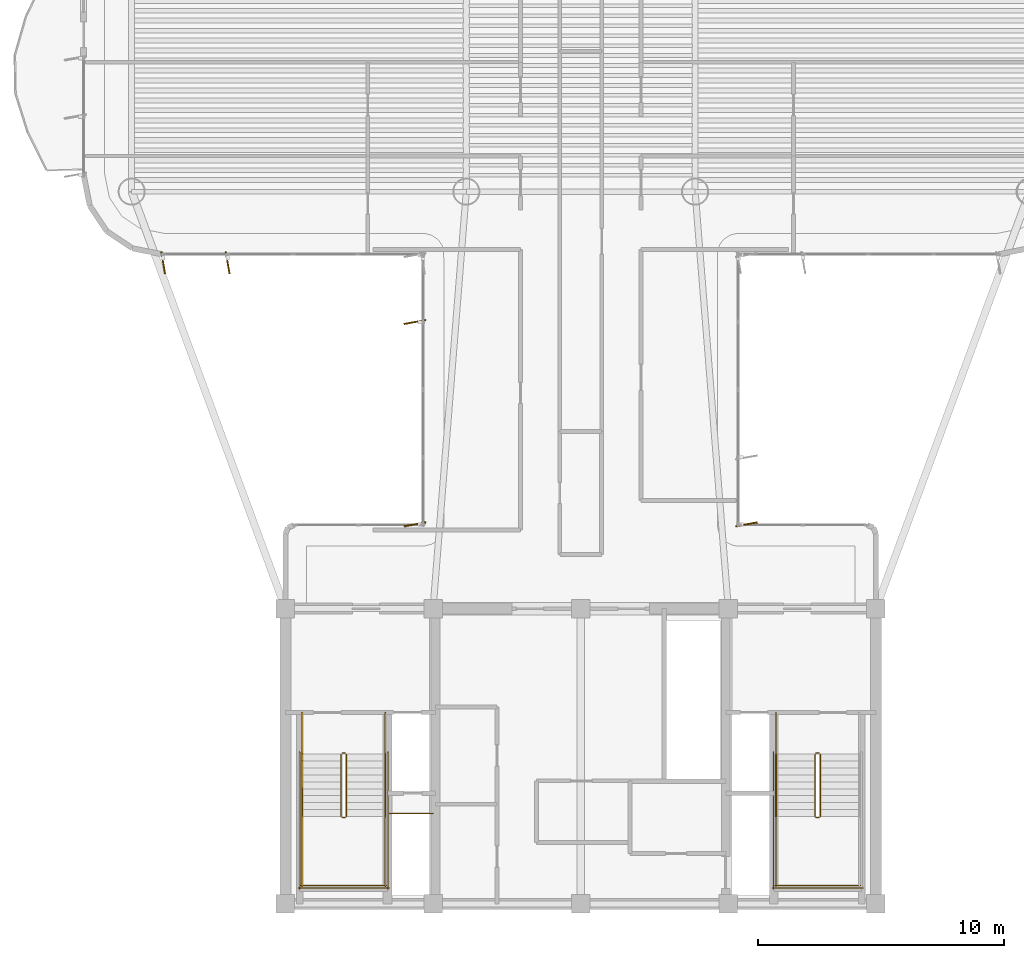
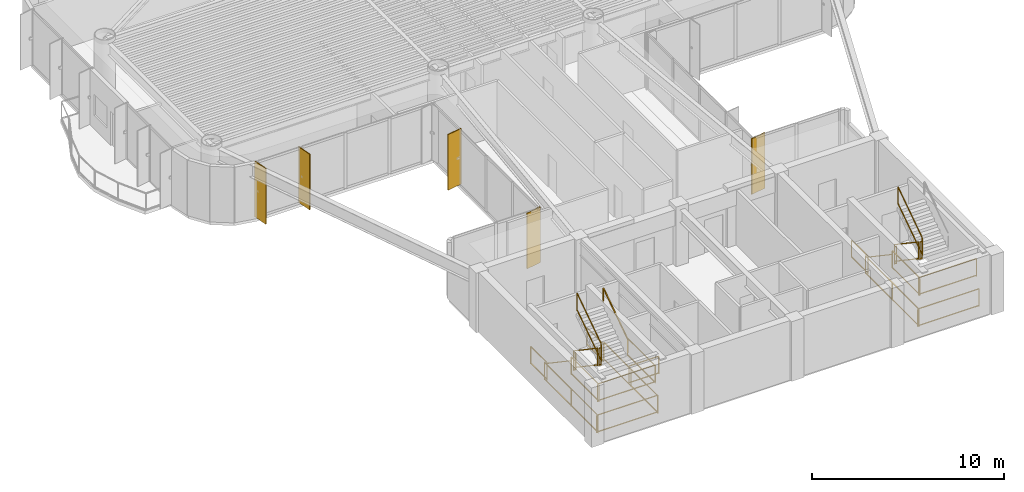
# One storey, part 13 of 14: 25 railings, 5 shading devices.
"""IFC4 building model written with IfcOpenShell, lengths in metres."""

from ifc_helpers import new_model, si_unit, direction, frame, origin, origin_2d, place, context, subcontext, project, spatial, rectangle, extrude, source, transform, mapped, material, layer, layer_set, material_profile, profile_set, type_object, element, save


model = new_model("IFC4")

# Units and contexts
model_context = context("Model", 3, precision=1e-05, world=origin(), true_north=direction((0.0, 1.0)))
body_context = subcontext(model_context, "Body", "Model", "MODEL_VIEW")
ifc_project = project(units=[si_unit("LENGTHUNIT", "METRE"), si_unit("AREAUNIT", "SQUARE_METRE"), si_unit("VOLUMEUNIT", "CUBIC_METRE"), si_unit("PLANEANGLEUNIT", "RADIAN"), si_unit("MASSUNIT", "GRAM", prefix="KILO")], contexts=[model_context])

# Site, building, storey
site_placement = place(None, origin())
site = spatial("IfcSite", under=ifc_project, at=site_placement, CompositionType="ELEMENT")
building_placement = place(site_placement, origin())
building = spatial("IfcBuilding", under=site, at=building_placement, Name="Brelvock Crest Care Tower", CompositionType="ELEMENT")
storey_placement = place(building_placement, frame((0.0, 0.0, 182.8798828125)))
storey = spatial("IfcBuildingStorey", under=building, at=storey_placement, Name="L46", CompositionType="ELEMENT", Elevation=182.8798828125)

# Railings
ifc_material_1 = material(Name="Steel Grade 350", Category="steel")
ifc_layer_1 = layer(ifc_material_1, 0.050048828125, Name="RL-STG1")
ifc_layer_set_1 = layer_set([ifc_layer_1], Name="Steel Grade 350")
railing_type_1 = type_object("IfcRailingType", Name="RL-STG1", PredefinedType="GUARDRAIL", material=ifc_layer_set_1)
railing_1_placement = place(storey_placement, frame((26.260009765625, 12.080078125, 0.189208984375)))
element("IfcRailing", 1, at=railing_1_placement, inside=storey, type_object=railing_type_1, Name="L46 ST-1 stair guard 1", PredefinedType="GUARDRAIL", context=body_context, shape_type="SweptSolid", body=[
    extrude(rectangle(XDim=0.048095703125, YDim=0.048095703125, at=origin_2d()), frame((0.0, -0.001708984375, 1.116943359375), z_axis=(0.0, -0.828861706735, 0.559453546873), x_axis=(1.0, 0.0, 0.0)), (0.0, 0.0, 1.0), 3.036376953125),
    extrude(rectangle(XDim=0.048095703125, YDim=0.048095703125, at=origin_2d()), frame((0.0, -0.001708984375, 0.05615234375), z_axis=(0.0, -0.828861706735, 0.559453546873), x_axis=(1.0, 0.0, 0.0)), (0.0, 0.0, 1.0), 3.036376953125),
    extrude(rectangle(XDim=0.0419921875, YDim=0.0419921875, at=origin_2d()), origin(), (0.0, 0.0, 1.0), 1.08984375),
    extrude(rectangle(XDim=0.0419921875, YDim=0.0419921875, at=origin_2d()), frame((0.0, -2.52001953125, 1.700927734375)), (0.0, 0.0, 1.0), 1.08984375),
])
railing_2_placement = place(storey_placement, frame((26.31005859375, 9.510009765625, 1.89013671875)))
element("IfcRailing", 2, at=railing_2_placement, inside=storey, type_object=railing_type_1, Name="L46 ST-1 stair guard 2", PredefinedType="GUARDRAIL", context=body_context, shape_type="SweptSolid", body=[
    extrude(rectangle(XDim=0.048095703125, YDim=0.048095703125, at=origin_2d()), frame((0.001953125, 0.0, 1.11572265625), z_axis=(1.0, 0.0, 0.0), x_axis=(0.0, 1.0, 0.0)), (0.0, 0.0, 1.0), 0.115966796875),
    extrude(rectangle(XDim=0.048095703125, YDim=0.048095703125, at=origin_2d()), frame((0.001953125, 0.0, 0.054931640625), z_axis=(1.0, 0.0, 0.0), x_axis=(0.0, 1.0, 0.0)), (0.0, 0.0, 1.0), 0.115966796875),
    extrude(rectangle(XDim=0.0419921875, YDim=0.0419921875, at=origin_2d()), origin(), (0.0, 0.0, 1.0), 1.08984375),
    extrude(rectangle(XDim=0.0419921875, YDim=0.0419921875, at=origin_2d()), frame((0.119873046875, 0.0, 0.0)), (0.0, 0.0, 1.0), 1.08984375),
])
for number, where, name in (
    (3, (24.679931640625, 9.56005859375, 1.89013671875), "L46 ST-1 stair guard 3"),
    (4, (28.06005859375, 9.56005859375, 1.89013671875), "L46 ST-1 stair guard 4"),
):
    element("IfcRailing", number, at=place(storey_placement, frame(where)), inside=storey, type_object=railing_type_1, Name=name, PredefinedType="GUARDRAIL", context=body_context, shape_type="SweptSolid", body=[
        extrude(rectangle(XDim=0.048095703125, YDim=0.048095703125, at=origin_2d()), frame((0.0, -0.001953125, 1.11572265625), z_axis=(0.0, -1.0, 0.0), x_axis=(1.0, 0.0, 0.0)), (0.0, 0.0, 1.0), 2.856201171875),
        extrude(rectangle(XDim=0.048095703125, YDim=0.048095703125, at=origin_2d()), frame((0.0, -0.001953125, 0.054931640625), z_axis=(0.0, -1.0, 0.0), x_axis=(1.0, 0.0, 0.0)), (0.0, 0.0, 1.0), 2.856201171875),
        extrude(rectangle(XDim=0.0419921875, YDim=0.0419921875, at=origin_2d()), origin(), (0.0, 0.0, 1.0), 1.08984375),
        extrude(rectangle(XDim=0.0419921875, YDim=0.0419921875, at=origin_2d()), frame((0.0, -2.860107421875, 0.0)), (0.0, 0.0, 1.0), 1.08984375),
    ])
railing_3_placement = place(storey_placement, frame((24.6298828125, 6.75, 1.89013671875)))
element("IfcRailing", 5, at=railing_3_placement, inside=storey, type_object=railing_type_1, Name="L46 ST-1 stair guard 5", PredefinedType="GUARDRAIL", context=body_context, shape_type="SweptSolid", body=[
    extrude(rectangle(XDim=0.048095703125, YDim=0.048095703125, at=origin_2d()), frame((0.001953125, 0.0, 1.11572265625), z_axis=(1.0, 0.0, 0.0), x_axis=(0.0, 1.0, 0.0)), (0.0, 0.0, 1.0), 3.476318359375),
    extrude(rectangle(XDim=0.048095703125, YDim=0.048095703125, at=origin_2d()), frame((0.001953125, 0.0, 0.054931640625), z_axis=(1.0, 0.0, 0.0), x_axis=(0.0, 1.0, 0.0)), (0.0, 0.0, 1.0), 3.476318359375),
    extrude(rectangle(XDim=0.0419921875, YDim=0.0419921875, at=origin_2d()), origin(), (0.0, 0.0, 1.0), 1.08984375),
    extrude(rectangle(XDim=0.0419921875, YDim=0.0419921875, at=origin_2d()), frame((3.480224609375, 0.0, 0.0)), (0.0, 0.0, 1.0), 1.08984375),
])
railing_4_placement = place(storey_placement, frame((26.47998046875, 9.56005859375, 2.0791015625)))
element("IfcRailing", 6, at=railing_4_placement, inside=storey, type_object=railing_type_1, Name="L46 ST-1 stair guard 6", PredefinedType="GUARDRAIL", context=body_context, shape_type="SweptSolid", body=[
    extrude(rectangle(XDim=0.048095703125, YDim=0.048095703125, at=origin_2d()), frame((0.0, 0.001708984375, 1.116943359375), z_axis=(0.0, 0.828861706735, 0.559453546873), x_axis=(-1.0, 0.0, 0.0)), (0.0, 0.0, 1.0), 3.036376953125),
    extrude(rectangle(XDim=0.048095703125, YDim=0.048095703125, at=origin_2d()), frame((0.0, 0.001708984375, 0.05615234375), z_axis=(0.0, 0.828861706735, 0.559453546873), x_axis=(-1.0, 0.0, 0.0)), (0.0, 0.0, 1.0), 3.036376953125),
    extrude(rectangle(XDim=0.0419921875, YDim=0.0419921875, at=origin_2d()), origin(), (0.0, 0.0, 1.0), 1.08984375),
    extrude(rectangle(XDim=0.0419921875, YDim=0.0419921875, at=origin_2d()), frame((0.0, 2.52001953125, 1.700927734375)), (0.0, 0.0, 1.0), 1.08984375),
])
railing_5_placement = place(storey_placement, frame((26.31005859375, 12.1298828125, 0.0)))
element("IfcRailing", 7, at=railing_5_placement, inside=storey, type_object=railing_type_1, Name="L46 ST-1 stair guard 7", PredefinedType="GUARDRAIL", context=body_context, shape_type="SweptSolid", body=[
    extrude(rectangle(XDim=0.048095703125, YDim=0.048095703125, at=origin_2d()), frame((0.001953125, 0.0, 1.11572265625), z_axis=(1.0, 0.0, 0.0), x_axis=(0.0, 1.0, 0.0)), (0.0, 0.0, 1.0), 0.115966796875),
    extrude(rectangle(XDim=0.048095703125, YDim=0.048095703125, at=origin_2d()), frame((0.001953125, 0.0, 0.054931640625), z_axis=(1.0, 0.0, 0.0), x_axis=(0.0, 1.0, 0.0)), (0.0, 0.0, 1.0), 0.115966796875),
    extrude(rectangle(XDim=0.0419921875, YDim=0.0419921875, at=origin_2d()), origin(), (0.0, 0.0, 1.0), 1.08984375),
    extrude(rectangle(XDim=0.0419921875, YDim=0.0419921875, at=origin_2d()), frame((0.119873046875, 0.0, 0.0)), (0.0, 0.0, 1.0), 1.08984375),
])
for number, where, name in (
    (8, (24.679931640625, 13.780029296875, 0.0), "L46 ST-1 stair guard 8"),
    (9, (28.06005859375, 13.780029296875, 0.0), "L46 ST-1 stair guard 9"),
):
    element("IfcRailing", number, at=place(storey_placement, frame(where)), inside=storey, type_object=railing_type_1, Name=name, PredefinedType="GUARDRAIL", context=body_context, shape_type="SweptSolid", body=[
        extrude(rectangle(XDim=0.048095703125, YDim=0.048095703125, at=origin_2d()), frame((0.0, -0.001953125, 1.11572265625), z_axis=(0.0, -1.0, 0.0), x_axis=(1.0, 0.0, 0.0)), (0.0, 0.0, 1.0), 1.696044921875),
        extrude(rectangle(XDim=0.048095703125, YDim=0.048095703125, at=origin_2d()), frame((0.0, -0.001953125, 0.054931640625), z_axis=(0.0, -1.0, 0.0), x_axis=(1.0, 0.0, 0.0)), (0.0, 0.0, 1.0), 1.696044921875),
        extrude(rectangle(XDim=0.0419921875, YDim=0.0419921875, at=origin_2d()), origin(), (0.0, 0.0, 1.0), 1.08984375),
        extrude(rectangle(XDim=0.0419921875, YDim=0.0419921875, at=origin_2d()), frame((0.0, -1.699951171875, 0.0)), (0.0, 0.0, 1.0), 1.08984375),
    ])
for number, where, name in (
    (10, (24.580078125, 12.179931640625, 0.0), "L46 ST-1 stair guard 10"),
    (11, (28.159912109375, 12.179931640625, 0.0), "L46 ST-1 stair guard 11"),
):
    element("IfcRailing", number, at=place(storey_placement, frame(where)), inside=storey, type_object=railing_type_1, Name=name, PredefinedType="GUARDRAIL", context=body_context, shape_type="SweptSolid", body=[
        extrude(rectangle(XDim=0.048095703125, YDim=0.048095703125, at=origin_2d()), frame((0.0, -0.001953125, 1.11572265625), z_axis=(0.0, -1.0, 0.0), x_axis=(1.0, 0.0, 0.0)), (0.0, 0.0, 1.0), 5.575927734375),
        extrude(rectangle(XDim=0.048095703125, YDim=0.048095703125, at=origin_2d()), frame((0.0, -0.001953125, 0.054931640625), z_axis=(0.0, -1.0, 0.0), x_axis=(1.0, 0.0, 0.0)), (0.0, 0.0, 1.0), 5.575927734375),
        extrude(rectangle(XDim=0.0419921875, YDim=0.0419921875, at=origin_2d()), origin(), (0.0, 0.0, 1.0), 1.08984375),
        extrude(rectangle(XDim=0.0419921875, YDim=0.0419921875, at=origin_2d()), frame((0.0, -2.7900390625, 0.0)), (0.0, 0.0, 1.0), 1.08984375),
        extrude(rectangle(XDim=0.0419921875, YDim=0.0419921875, at=origin_2d()), frame((0.0, -5.579833984375, 0.0)), (0.0, 0.0, 1.0), 1.08984375),
    ])
railing_6_placement = place(storey_placement, frame((24.530029296875, 6.64990234375, 0.0)))
element("IfcRailing", 12, at=railing_6_placement, inside=storey, type_object=railing_type_1, Name="L46 ST-1 stair guard 12", PredefinedType="GUARDRAIL", context=body_context, shape_type="SweptSolid", body=[
    extrude(rectangle(XDim=0.048095703125, YDim=0.048095703125, at=origin_2d()), frame((0.001953125, 0.0, 1.11572265625), z_axis=(1.0, 0.0, 0.0), x_axis=(0.0, 1.0, 0.0)), (0.0, 0.0, 1.0), 3.676025390625),
    extrude(rectangle(XDim=0.048095703125, YDim=0.048095703125, at=origin_2d()), frame((0.001953125, 0.0, 0.054931640625), z_axis=(1.0, 0.0, 0.0), x_axis=(0.0, 1.0, 0.0)), (0.0, 0.0, 1.0), 3.676025390625),
    extrude(rectangle(XDim=0.0419921875, YDim=0.0419921875, at=origin_2d()), origin(), (0.0, 0.0, 1.0), 1.08984375),
    extrude(rectangle(XDim=0.0419921875, YDim=0.0419921875, at=origin_2d()), frame((3.679931640625, 0.0, 0.0)), (0.0, 0.0, 1.0), 1.08984375),
])
railing_7_placement = place(storey_placement, frame((45.52001953125, 12.080078125, 0.189208984375)))
element("IfcRailing", 13, at=railing_7_placement, inside=storey, type_object=railing_type_1, Name="L46 ST-2 stair guard 1", PredefinedType="GUARDRAIL", context=body_context, shape_type="SweptSolid", body=[
    extrude(rectangle(XDim=0.048095703125, YDim=0.048095703125, at=origin_2d()), frame((0.0, -0.001708984375, 1.116943359375), z_axis=(0.0, -0.828861706735, 0.559453546873), x_axis=(1.0, 0.0, 0.0)), (0.0, 0.0, 1.0), 3.036376953125),
    extrude(rectangle(XDim=0.048095703125, YDim=0.048095703125, at=origin_2d()), frame((0.0, -0.001708984375, 0.05615234375), z_axis=(0.0, -0.828861706735, 0.559453546873), x_axis=(1.0, 0.0, 0.0)), (0.0, 0.0, 1.0), 3.036376953125),
    extrude(rectangle(XDim=0.0419921875, YDim=0.0419921875, at=origin_2d()), origin(), (0.0, 0.0, 1.0), 1.08984375),
    extrude(rectangle(XDim=0.0419921875, YDim=0.0419921875, at=origin_2d()), frame((0.0, -2.52001953125, 1.700927734375)), (0.0, 0.0, 1.0), 1.08984375),
])
railing_8_placement = place(storey_placement, frame((45.570068359375, 9.510009765625, 1.89013671875)))
element("IfcRailing", 14, at=railing_8_placement, inside=storey, type_object=railing_type_1, Name="L46 ST-2 stair guard 2", PredefinedType="GUARDRAIL", context=body_context, shape_type="SweptSolid", body=[
    extrude(rectangle(XDim=0.048095703125, YDim=0.048095703125, at=origin_2d()), frame((0.001953125, 0.0, 1.11572265625), z_axis=(1.0, 0.0, 0.0), x_axis=(0.0, 1.0, 0.0)), (0.0, 0.0, 1.0), 0.115966796875),
    extrude(rectangle(XDim=0.048095703125, YDim=0.048095703125, at=origin_2d()), frame((0.001953125, 0.0, 0.054931640625), z_axis=(1.0, 0.0, 0.0), x_axis=(0.0, 1.0, 0.0)), (0.0, 0.0, 1.0), 0.115966796875),
    extrude(rectangle(XDim=0.0419921875, YDim=0.0419921875, at=origin_2d()), origin(), (0.0, 0.0, 1.0), 1.08984375),
    extrude(rectangle(XDim=0.0419921875, YDim=0.0419921875, at=origin_2d()), frame((0.119873046875, 0.0, 0.0)), (0.0, 0.0, 1.0), 1.08984375),
])
railing_9_placement = place(storey_placement, frame((43.93994140625, 9.56005859375, 1.89013671875)))
element("IfcRailing", 15, at=railing_9_placement, inside=storey, type_object=railing_type_1, Name="L46 ST-2 stair guard 3", PredefinedType="GUARDRAIL", context=body_context, shape_type="SweptSolid", body=[
    extrude(rectangle(XDim=0.048095703125, YDim=0.048095703125, at=origin_2d()), frame((0.0, -0.001953125, 1.11572265625), z_axis=(0.0, -1.0, 0.0), x_axis=(1.0, 0.0, 0.0)), (0.0, 0.0, 1.0), 2.856201171875),
    extrude(rectangle(XDim=0.048095703125, YDim=0.048095703125, at=origin_2d()), frame((0.0, -0.001953125, 0.054931640625), z_axis=(0.0, -1.0, 0.0), x_axis=(1.0, 0.0, 0.0)), (0.0, 0.0, 1.0), 2.856201171875),
    extrude(rectangle(XDim=0.0419921875, YDim=0.0419921875, at=origin_2d()), origin(), (0.0, 0.0, 1.0), 1.08984375),
    extrude(rectangle(XDim=0.0419921875, YDim=0.0419921875, at=origin_2d()), frame((0.0, -2.860107421875, 0.0)), (0.0, 0.0, 1.0), 1.08984375),
])
railing_10_placement = place(storey_placement, frame((43.889892578125, 6.75, 1.89013671875)))
element("IfcRailing", 16, at=railing_10_placement, inside=storey, type_object=railing_type_1, Name="L46 ST-2 stair guard 5", PredefinedType="GUARDRAIL", context=body_context, shape_type="SweptSolid", body=[
    extrude(rectangle(XDim=0.048095703125, YDim=0.048095703125, at=origin_2d()), frame((0.001953125, 0.0, 1.11572265625), z_axis=(1.0, 0.0, 0.0), x_axis=(0.0, 1.0, 0.0)), (0.0, 0.0, 1.0), 3.476318359375),
    extrude(rectangle(XDim=0.048095703125, YDim=0.048095703125, at=origin_2d()), frame((0.001953125, 0.0, 0.054931640625), z_axis=(1.0, 0.0, 0.0), x_axis=(0.0, 1.0, 0.0)), (0.0, 0.0, 1.0), 3.476318359375),
    extrude(rectangle(XDim=0.0419921875, YDim=0.0419921875, at=origin_2d()), origin(), (0.0, 0.0, 1.0), 1.08984375),
    extrude(rectangle(XDim=0.0419921875, YDim=0.0419921875, at=origin_2d()), frame((3.480224609375, 0.0, 0.0)), (0.0, 0.0, 1.0), 1.08984375),
])
railing_11_placement = place(storey_placement, frame((45.739990234375, 9.56005859375, 2.0791015625)))
element("IfcRailing", 17, at=railing_11_placement, inside=storey, type_object=railing_type_1, Name="L46 ST-2 stair guard 6", PredefinedType="GUARDRAIL", context=body_context, shape_type="SweptSolid", body=[
    extrude(rectangle(XDim=0.048095703125, YDim=0.048095703125, at=origin_2d()), frame((0.0, 0.001708984375, 1.116943359375), z_axis=(0.0, 0.828861706735, 0.559453546873), x_axis=(-1.0, 0.0, 0.0)), (0.0, 0.0, 1.0), 3.036376953125),
    extrude(rectangle(XDim=0.048095703125, YDim=0.048095703125, at=origin_2d()), frame((0.0, 0.001708984375, 0.05615234375), z_axis=(0.0, 0.828861706735, 0.559453546873), x_axis=(-1.0, 0.0, 0.0)), (0.0, 0.0, 1.0), 3.036376953125),
    extrude(rectangle(XDim=0.0419921875, YDim=0.0419921875, at=origin_2d()), origin(), (0.0, 0.0, 1.0), 1.08984375),
    extrude(rectangle(XDim=0.0419921875, YDim=0.0419921875, at=origin_2d()), frame((0.0, 2.52001953125, 1.700927734375)), (0.0, 0.0, 1.0), 1.08984375),
])
railing_12_placement = place(storey_placement, frame((45.570068359375, 12.1298828125, 0.0)))
element("IfcRailing", 18, at=railing_12_placement, inside=storey, type_object=railing_type_1, Name="L46 ST-2 stair guard 7", PredefinedType="GUARDRAIL", context=body_context, shape_type="SweptSolid", body=[
    extrude(rectangle(XDim=0.048095703125, YDim=0.048095703125, at=origin_2d()), frame((0.001953125, 0.0, 1.11572265625), z_axis=(1.0, 0.0, 0.0), x_axis=(0.0, 1.0, 0.0)), (0.0, 0.0, 1.0), 0.115966796875),
    extrude(rectangle(XDim=0.048095703125, YDim=0.048095703125, at=origin_2d()), frame((0.001953125, 0.0, 0.054931640625), z_axis=(1.0, 0.0, 0.0), x_axis=(0.0, 1.0, 0.0)), (0.0, 0.0, 1.0), 0.115966796875),
    extrude(rectangle(XDim=0.0419921875, YDim=0.0419921875, at=origin_2d()), origin(), (0.0, 0.0, 1.0), 1.08984375),
    extrude(rectangle(XDim=0.0419921875, YDim=0.0419921875, at=origin_2d()), frame((0.119873046875, 0.0, 0.0)), (0.0, 0.0, 1.0), 1.08984375),
])
railing_13_placement = place(storey_placement, frame((43.93994140625, 13.780029296875, 0.0)))
element("IfcRailing", 19, at=railing_13_placement, inside=storey, type_object=railing_type_1, Name="L46 ST-2 stair guard 8", PredefinedType="GUARDRAIL", context=body_context, shape_type="SweptSolid", body=[
    extrude(rectangle(XDim=0.048095703125, YDim=0.048095703125, at=origin_2d()), frame((0.0, -0.001953125, 1.11572265625), z_axis=(0.0, -1.0, 0.0), x_axis=(1.0, 0.0, 0.0)), (0.0, 0.0, 1.0), 1.696044921875),
    extrude(rectangle(XDim=0.048095703125, YDim=0.048095703125, at=origin_2d()), frame((0.0, -0.001953125, 0.054931640625), z_axis=(0.0, -1.0, 0.0), x_axis=(1.0, 0.0, 0.0)), (0.0, 0.0, 1.0), 1.696044921875),
    extrude(rectangle(XDim=0.0419921875, YDim=0.0419921875, at=origin_2d()), origin(), (0.0, 0.0, 1.0), 1.08984375),
    extrude(rectangle(XDim=0.0419921875, YDim=0.0419921875, at=origin_2d()), frame((0.0, -1.699951171875, 0.0)), (0.0, 0.0, 1.0), 1.08984375),
])
railing_14_placement = place(storey_placement, frame((43.840087890625, 12.179931640625, 0.0)))
element("IfcRailing", 20, at=railing_14_placement, inside=storey, type_object=railing_type_1, Name="L46 ST-2 stair guard 10", PredefinedType="GUARDRAIL", context=body_context, shape_type="SweptSolid", body=[
    extrude(rectangle(XDim=0.048095703125, YDim=0.048095703125, at=origin_2d()), frame((0.0, -0.001953125, 1.11572265625), z_axis=(0.0, -1.0, 0.0), x_axis=(1.0, 0.0, 0.0)), (0.0, 0.0, 1.0), 5.575927734375),
    extrude(rectangle(XDim=0.048095703125, YDim=0.048095703125, at=origin_2d()), frame((0.0, -0.001953125, 0.054931640625), z_axis=(0.0, -1.0, 0.0), x_axis=(1.0, 0.0, 0.0)), (0.0, 0.0, 1.0), 5.575927734375),
    extrude(rectangle(XDim=0.0419921875, YDim=0.0419921875, at=origin_2d()), origin(), (0.0, 0.0, 1.0), 1.08984375),
    extrude(rectangle(XDim=0.0419921875, YDim=0.0419921875, at=origin_2d()), frame((0.0, -2.7900390625, 0.0)), (0.0, 0.0, 1.0), 1.08984375),
    extrude(rectangle(XDim=0.0419921875, YDim=0.0419921875, at=origin_2d()), frame((0.0, -5.579833984375, 0.0)), (0.0, 0.0, 1.0), 1.08984375),
])
railing_15_placement = place(storey_placement, frame((43.7900390625, 6.64990234375, 0.0)))
element("IfcRailing", 21, at=railing_15_placement, inside=storey, type_object=railing_type_1, Name="L46 ST-2 stair guard 12", PredefinedType="GUARDRAIL", context=body_context, shape_type="SweptSolid", body=[
    extrude(rectangle(XDim=0.048095703125, YDim=0.048095703125, at=origin_2d()), frame((0.001953125, 0.0, 1.11572265625), z_axis=(1.0, 0.0, 0.0), x_axis=(0.0, 1.0, 0.0)), (0.0, 0.0, 1.0), 3.676025390625),
    extrude(rectangle(XDim=0.048095703125, YDim=0.048095703125, at=origin_2d()), frame((0.001953125, 0.0, 0.054931640625), z_axis=(1.0, 0.0, 0.0), x_axis=(0.0, 1.0, 0.0)), (0.0, 0.0, 1.0), 3.676025390625),
    extrude(rectangle(XDim=0.0419921875, YDim=0.0419921875, at=origin_2d()), origin(), (0.0, 0.0, 1.0), 1.08984375),
    extrude(rectangle(XDim=0.0419921875, YDim=0.0419921875, at=origin_2d()), frame((3.679931640625, 0.0, 0.0)), (0.0, 0.0, 1.0), 1.08984375),
])
railing_16_placement = place(storey_placement, frame((28.219970703125, 9.679931640625, 0.0)))
element("IfcRailing", 22, at=railing_16_placement, inside=storey, type_object=railing_type_1, Name="L46 Fire Riser Threshold Guard", PredefinedType="GUARDRAIL", context=body_context, shape_type="SweptSolid", body=[
    extrude(rectangle(XDim=0.048095703125, YDim=0.048095703125, at=origin_2d()), frame((0.001953125, 0.0, 1.11572265625), z_axis=(1.0, 0.0, 0.0), x_axis=(0.0, 1.0, 0.0)), (0.0, 0.0, 1.0), 1.776123046875),
    extrude(rectangle(XDim=0.048095703125, YDim=0.048095703125, at=origin_2d()), frame((0.001953125, 0.0, 0.054931640625), z_axis=(1.0, 0.0, 0.0), x_axis=(0.0, 1.0, 0.0)), (0.0, 0.0, 1.0), 1.776123046875),
    extrude(rectangle(XDim=0.0419921875, YDim=0.0419921875, at=origin_2d()), origin(), (0.0, 0.0, 1.0), 1.08984375),
    extrude(rectangle(XDim=0.0419921875, YDim=0.0419921875, at=origin_2d()), frame((1.780029296875, 0.0, 0.0)), (0.0, 0.0, 1.0), 1.08984375),
])
ifc_layer_2 = layer(ifc_material_1, 0.048095703125, Name="RL-STH1")
ifc_layer_set_2 = layer_set([ifc_layer_2], Name="Steel Grade 350")
railing_type_2 = type_object("IfcRailingType", Name="RL-STH1", PredefinedType="HANDRAIL", material=ifc_layer_set_2)
railing_17_placement = place(storey_placement, frame((24.679931640625, 12.080078125, 0.189208984375)))
element("IfcRailing", 23, at=railing_17_placement, inside=storey, type_object=railing_type_2, Name="L46 ST-1 stair handrail 1", PredefinedType="HANDRAIL", context=body_context, shape_type="SweptSolid", body=[
    extrude(rectangle(XDim=0.048095703125, YDim=0.048095703125, at=origin_2d()), frame((0.0, -0.001708984375, 0.876953125), z_axis=(0.0, -0.828861706735, 0.559453546873), x_axis=(1.0, 0.0, 0.0)), (0.0, 0.0, 1.0), 3.036376953125),
    extrude(rectangle(XDim=0.0419921875, YDim=0.0419921875, at=origin_2d()), origin(), (0.0, 0.0, 1.0), 0.849853515625),
    extrude(rectangle(XDim=0.0419921875, YDim=0.0419921875, at=origin_2d()), frame((0.0, -2.52001953125, 1.700927734375)), (0.0, 0.0, 1.0), 0.849853515625),
])
railing_18_placement = place(storey_placement, frame((28.06005859375, 9.56005859375, 2.0791015625)))
element("IfcRailing", 24, at=railing_18_placement, inside=storey, type_object=railing_type_2, Name="L46 ST-1 stair handrail 2", PredefinedType="HANDRAIL", context=body_context, shape_type="SweptSolid", body=[
    extrude(rectangle(XDim=0.048095703125, YDim=0.048095703125, at=origin_2d()), frame((0.0, 0.001708984375, 0.876953125), z_axis=(0.0, 0.828861706735, 0.559453546873), x_axis=(-1.0, 0.0, 0.0)), (0.0, 0.0, 1.0), 3.036376953125),
    extrude(rectangle(XDim=0.0419921875, YDim=0.0419921875, at=origin_2d()), origin(), (0.0, 0.0, 1.0), 0.849853515625),
    extrude(rectangle(XDim=0.0419921875, YDim=0.0419921875, at=origin_2d()), frame((0.0, 2.52001953125, 1.700927734375)), (0.0, 0.0, 1.0), 0.849853515625),
])
railing_19_placement = place(storey_placement, frame((43.93994140625, 12.080078125, 0.189208984375)))
element("IfcRailing", 25, at=railing_19_placement, inside=storey, type_object=railing_type_2, Name="L46 ST-2 stair handrail 1", PredefinedType="HANDRAIL", context=body_context, shape_type="SweptSolid", body=[
    extrude(rectangle(XDim=0.048095703125, YDim=0.048095703125, at=origin_2d()), frame((0.0, -0.001708984375, 0.876953125), z_axis=(0.0, -0.828861706735, 0.559453546873), x_axis=(1.0, 0.0, 0.0)), (0.0, 0.0, 1.0), 3.036376953125),
    extrude(rectangle(XDim=0.0419921875, YDim=0.0419921875, at=origin_2d()), origin(), (0.0, 0.0, 1.0), 0.849853515625),
    extrude(rectangle(XDim=0.0419921875, YDim=0.0419921875, at=origin_2d()), frame((0.0, -2.52001953125, 1.700927734375)), (0.0, 0.0, 1.0), 0.849853515625),
])

# Shading devices
ifc_material_2 = material(Name="Aluminium 6063-T6", Category="aluminium")
ifc_material_profile = material_profile(ifc_material_2, rectangle(XDim=0.054931640625, YDim=0.89990234375, at=origin_2d()), Name="FIN55x900")
ifc_profile_set = profile_set([ifc_material_profile], Name="Aluminium 6063-T6")
shading_device_type = type_object("IfcShadingDeviceType", Name="SHD-FIN1", PredefinedType="USERDEFINED", material=ifc_profile_set)
shared_shape = source(origin(), body_context, "Body", "SweptSolid", [
    extrude(rectangle(XDim=0.054931640625, YDim=0.89990234375, at=origin_2d()), origin(), (0.0, 0.0, 1.0), 3.530029296875),
])
for number, where, z_axis, x_axis, name in (
    (26, (29.260009765625, 21.429931640625, 0.0), (0.0, 0.0, 1.0), (-0.173648177667, 0.984807753012, 0.0), "L46 Vertical Sunshade Fin E11-01"),
    (27, (29.260009765625, 29.64990234375, 0.0), (0.0, 0.0, 1.0), (-0.173648177667, 0.984807753012, 0.0), "L46 Vertical Sunshade Fin E11-04"),
    (28, (21.64990234375, 32.06005859375, 0.0), (0.0, 0.0, 1.0), (-0.984807753012, -0.173648177667, 0.0), "L46 Vertical Sunshade Fin E12-04"),
    (29, (19.030029296875, 32.06005859375, 0.0), (0.0, 0.0, 1.0), (-0.984807753012, -0.173648177667, 0.0), "L46 Vertical Sunshade Fin E12-05"),
    (30, (42.739990234375, 21.429931640625, 0.0), (0.0, 0.0, 1.0), (0.173648177667, -0.984807753012, 0.0), "L46 Vertical Sunshade Fin E45-05"),
):
    element("IfcShadingDevice", number, at=place(storey_placement, frame(where, z_axis=z_axis, x_axis=x_axis)), inside=storey, type_object=shading_device_type, Name=name, ObjectType="FIN", PredefinedType="USERDEFINED", context=body_context, shape_type="MappedRepresentation", body=[
        mapped(shared_shape, transform((0.0, 0.0, 0.0), x_axis=(1.0, 0.0, 0.0), y_axis=(0.0, 1.0, 0.0), z_axis=(0.0, 0.0, 1.0), scale=1.0)),
    ])

save(model, "model.ifc")
